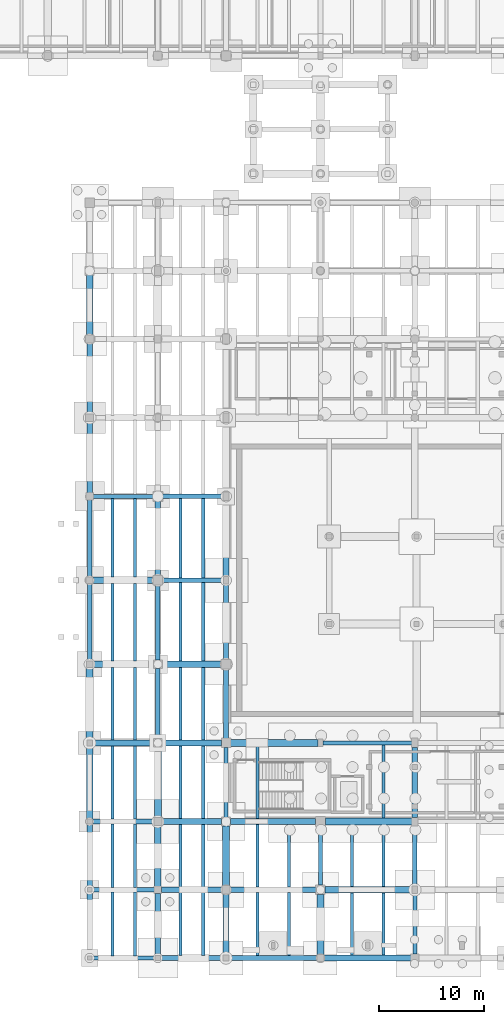
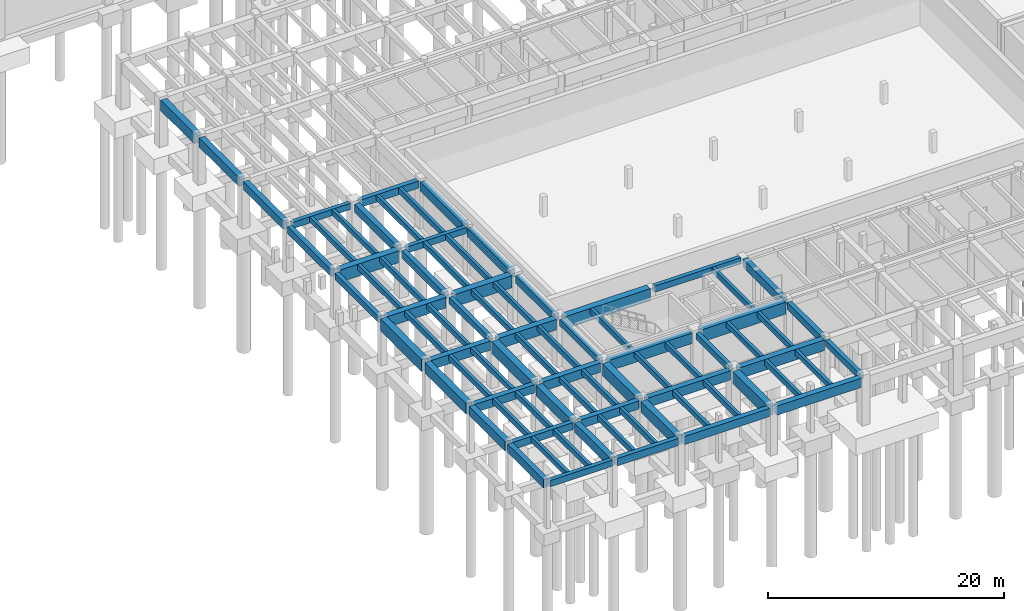
# One storey, part 20 of 36: 82 beams.
"""IFC4 building model written with IfcOpenShell, lengths in metres."""

from ifc_helpers import new_model, si_unit, direction, frame, origin, origin_2d, place, context, subcontext, project, spatial, rectangle, extrude, material, material_profile, profile_set, type_object, element, save


model = new_model("IFC4")

# Units and contexts
model_context = context("Model", 3, precision=1e-05, world=origin(), true_north=direction((0.0, 1.0)))
body_context = subcontext(model_context, "Body", "Model", "MODEL_VIEW")
ifc_project = project(units=[si_unit("LENGTHUNIT", "METRE"), si_unit("AREAUNIT", "SQUARE_METRE"), si_unit("VOLUMEUNIT", "CUBIC_METRE"), si_unit("PLANEANGLEUNIT", "RADIAN"), si_unit("MASSUNIT", "GRAM", prefix="KILO"), si_unit("THERMODYNAMICTEMPERATUREUNIT", "KELVIN"), si_unit("POWERUNIT", "WATT")], contexts=[model_context])

# Site, building, storey
site_placement = place(None, origin())
site = spatial("IfcSite", under=ifc_project, at=site_placement, CompositionType="ELEMENT")
building_placement = place(site_placement, origin())
building = spatial("IfcBuilding", under=site, at=building_placement, Name="Tepalcoro Natatorium and Aquatics Centre", CompositionType="ELEMENT")
storey_placement = place(building_placement, frame((0.0, 0.0, -5.199951171875)))
storey = spatial("IfcBuildingStorey", under=building, at=storey_placement, Name="B1", CompositionType="ELEMENT", Elevation=-5.199951171875)

# Beams
ifc_material = material(Name="Concrete C40/50 (fc 40 MPa)", Category="concrete")
ifc_material_profile_1 = material_profile(ifc_material, rectangle(XDim=0.39990234375, YDim=0.64990234375, at=origin_2d()), Name="RCB400x650")
ifc_profile_set_1 = profile_set([ifc_material_profile_1], Name="Concrete C40/50 (fc 40 MPa)")
beam_type_1 = type_object("IfcBeamType", Name="BM_RC_400x650", PredefinedType="BEAM", material=ifc_profile_set_1)
beam_1_placement = place(storey_placement, frame((40.18505859375, 0.0, 4.579833984375), z_axis=(1.0, 0.0, 0.0), x_axis=(0.0, 1.0, 0.0)))
element("IfcBeam", 1, at=beam_1_placement, inside=storey, type_object=beam_type_1, Name="V1 B1 Grid Girder X", PredefinedType="BEAM", context=body_context, shape_type="SweptSolid", body=[
    extrude(rectangle(XDim=0.39990234375, YDim=0.64990234375, at=origin_2d()), origin(), (0.0, 0.0, 1.0), 6.079833984375),
])
beam_2_placement = place(storey_placement, frame((62.235107421875, 20.5, 4.56005859375), z_axis=(1.0, 0.0, 0.0), x_axis=(0.0, 1.0, 0.0)))
element("IfcBeam", 2, at=beam_2_placement, inside=storey, type_object=beam_type_1, Name="V1 B1 Grid Girder X", PredefinedType="BEAM", context=body_context, shape_type="SweptSolid", body=[
    extrude(rectangle(XDim=0.39990234375, YDim=0.64990234375, at=origin_2d()), origin(), (0.0, 0.0, 1.0), 8.47998046875),
])
beam_3_placement = place(storey_placement, frame((46.93505859375, 36.0, 4.579833984375), z_axis=(1.0, 0.0, 0.0), x_axis=(0.0, 1.0, 0.0)))
element("IfcBeam", 3, at=beam_3_placement, inside=storey, type_object=beam_type_1, Name="V1 B1 Grid Girder X", PredefinedType="BEAM", context=body_context, shape_type="SweptSolid", body=[
    extrude(rectangle(XDim=0.39990234375, YDim=0.64990234375, at=origin_2d()), origin(), (0.0, 0.0, 1.0), 5.829833984375),
])
beam_4_placement = place(storey_placement, frame((40.3349609375, 44.0, 4.579833984375), z_axis=(1.0, 0.0, 0.0), x_axis=(0.0, 1.0, 0.0)))
element("IfcBeam", 4, at=beam_4_placement, inside=storey, type_object=beam_type_1, Name="V1 B1 Grid Girder X", PredefinedType="BEAM", context=body_context, shape_type="SweptSolid", body=[
    extrude(rectangle(XDim=0.39990234375, YDim=0.64990234375, at=origin_2d()), origin(), (0.0, 0.0, 1.0), 5.705078125),
])
beam_5_placement = place(storey_placement, frame((40.0, 28.284912109375, 4.43994140625), z_axis=(0.0, 1.0, 0.0), x_axis=(-1.0, 0.0, 0.0)))
element("IfcBeam", 5, at=beam_5_placement, inside=storey, type_object=beam_type_1, Name="V1 B1 Grid Girder Y", PredefinedType="BEAM", context=body_context, shape_type="SweptSolid", body=[
    extrude(rectangle(XDim=0.39990234375, YDim=0.64990234375, at=origin_2d()), origin(), (0.0, 0.0, 1.0), 7.405029296875),
])
beam_6_placement = place(storey_placement, frame((46.5, 20.885009765625, 4.579833984375), z_axis=(0.0, 1.0, 0.0), x_axis=(-1.0, 0.0, 0.0)))
element("IfcBeam", 6, at=beam_6_placement, inside=storey, type_object=beam_type_1, Name="V1 B1 Grid Girder Y", PredefinedType="BEAM", context=body_context, shape_type="SweptSolid", body=[
    extrude(rectangle(XDim=0.39990234375, YDim=0.64990234375, at=origin_2d()), origin(), (0.0, 0.0, 1.0), 6.705078125),
])
beam_7_placement = place(storey_placement, frame((53.0, 13.409912109375, 4.579833984375), z_axis=(0.0, 1.0, 0.0), x_axis=(-1.0, 0.0, 0.0)))
element("IfcBeam", 7, at=beam_7_placement, inside=storey, type_object=beam_type_1, Name="V1 B1 Grid Girder Y", PredefinedType="BEAM", context=body_context, shape_type="SweptSolid", body=[
    extrude(rectangle(XDim=0.39990234375, YDim=0.64990234375, at=origin_2d()), origin(), (0.0, 0.0, 1.0), 6.655029296875),
])
beam_8_placement = place(storey_placement, frame((62.0, 6.93505859375, 4.579833984375), z_axis=(0.0, 1.0, 0.0), x_axis=(-1.0, 0.0, 0.0)))
element("IfcBeam", 8, at=beam_8_placement, inside=storey, type_object=beam_type_1, Name="V1 B1 Grid Girder Y", PredefinedType="BEAM", context=body_context, shape_type="SweptSolid", body=[
    extrude(rectangle(XDim=0.39990234375, YDim=0.64990234375, at=origin_2d()), origin(), (0.0, 0.0, 1.0), 5.60498046875),
])
beam_9_placement = place(storey_placement, frame((71.0, 0.385009765625, 4.579833984375), z_axis=(0.0, 1.0, 0.0), x_axis=(-1.0, 0.0, 0.0)))
element("IfcBeam", 9, at=beam_9_placement, inside=storey, type_object=beam_type_1, Name="V1 B1 Grid Girder Y", PredefinedType="BEAM", context=body_context, shape_type="SweptSolid", body=[
    extrude(rectangle(XDim=0.39990234375, YDim=0.64990234375, at=origin_2d()), origin(), (0.0, 0.0, 1.0), 5.780029296875),
])
ifc_material_profile_2 = material_profile(ifc_material, rectangle(XDim=0.449951171875, YDim=0.75, at=origin_2d()), Name="RCB450x750")
ifc_profile_set_2 = profile_set([ifc_material_profile_2], Name="Concrete C40/50 (fc 40 MPa)")
beam_type_2 = type_object("IfcBeamType", Name="BM_RC_450x750", PredefinedType="BEAM", material=ifc_profile_set_2)
beam_10_placement = place(storey_placement, frame((46.735107421875, 0.0, 4.530029296875), z_axis=(1.0, 0.0, 0.0), x_axis=(0.0, 1.0, 0.0)))
element("IfcBeam", 10, at=beam_10_placement, inside=storey, type_object=beam_type_2, Name="V1 B1 Grid Girder X", PredefinedType="BEAM", context=body_context, shape_type="SweptSolid", body=[
    extrude(rectangle(XDim=0.449951171875, YDim=0.75, at=origin_2d()), origin(), (0.0, 0.0, 1.0), 5.97998046875),
])
beam_11_placement = place(storey_placement, frame((40.2099609375, 6.5, 4.530029296875), z_axis=(1.0, 0.0, 0.0), x_axis=(0.0, 1.0, 0.0)))
element("IfcBeam", 11, at=beam_11_placement, inside=storey, type_object=beam_type_2, Name="V1 B1 Grid Girder X", PredefinedType="BEAM", context=body_context, shape_type="SweptSolid", body=[
    extrude(rectangle(XDim=0.449951171875, YDim=0.75, at=origin_2d()), origin(), (0.0, 0.0, 1.0), 5.955078125),
])
beam_12_placement = place(storey_placement, frame((46.9599609375, 44.0, 4.530029296875), z_axis=(1.0, 0.0, 0.0), x_axis=(0.0, 1.0, 0.0)))
element("IfcBeam", 12, at=beam_12_placement, inside=storey, type_object=beam_type_2, Name="V1 B1 Grid Girder X", PredefinedType="BEAM", context=body_context, shape_type="SweptSolid", body=[
    extrude(rectangle(XDim=0.449951171875, YDim=0.75, at=origin_2d()), origin(), (0.0, 0.0, 1.0), 5.755126953125),
])
beam_13_placement = place(storey_placement, frame((40.0, 36.31005859375, 4.389892578125), z_axis=(0.0, 1.0, 0.0), x_axis=(-1.0, 0.0, 0.0)))
element("IfcBeam", 13, at=beam_13_placement, inside=storey, type_object=beam_type_2, Name="V1 B1 Grid Girder Y", PredefinedType="BEAM", context=body_context, shape_type="SweptSolid", body=[
    extrude(rectangle(XDim=0.449951171875, YDim=0.75, at=origin_2d()), origin(), (0.0, 0.0, 1.0), 7.35498046875),
])
beam_14_placement = place(storey_placement, frame((46.5, 28.409912109375, 4.530029296875), z_axis=(0.0, 1.0, 0.0), x_axis=(-1.0, 0.0, 0.0)))
element("IfcBeam", 14, at=beam_14_placement, inside=storey, type_object=beam_type_2, Name="V1 B1 Grid Girder Y", PredefinedType="BEAM", context=body_context, shape_type="SweptSolid", body=[
    extrude(rectangle(XDim=0.449951171875, YDim=0.75, at=origin_2d()), origin(), (0.0, 0.0, 1.0), 7.155029296875),
])
beam_15_placement = place(storey_placement, frame((53.0, 20.93505859375, 4.530029296875), z_axis=(0.0, 1.0, 0.0), x_axis=(-1.0, 0.0, 0.0)))
element("IfcBeam", 15, at=beam_15_placement, inside=storey, type_object=beam_type_2, Name="V1 B1 Grid Girder Y", PredefinedType="BEAM", context=body_context, shape_type="SweptSolid", body=[
    extrude(rectangle(XDim=0.449951171875, YDim=0.75, at=origin_2d()), origin(), (0.0, 0.0, 1.0), 6.60498046875),
])
beam_16_placement = place(storey_placement, frame((71.0, 6.8349609375, 4.530029296875), z_axis=(0.0, 1.0, 0.0), x_axis=(-1.0, 0.0, 0.0)))
element("IfcBeam", 16, at=beam_16_placement, inside=storey, type_object=beam_type_2, Name="V1 B1 Grid Girder Y", PredefinedType="BEAM", context=body_context, shape_type="SweptSolid", body=[
    extrude(rectangle(XDim=0.449951171875, YDim=0.75, at=origin_2d()), origin(), (0.0, 0.0, 1.0), 5.780029296875),
])
ifc_material_profile_3 = material_profile(ifc_material, rectangle(XDim=0.5, YDim=0.85009765625, at=origin_2d()), Name="RCB500x850")
ifc_profile_set_3 = profile_set([ifc_material_profile_3], Name="Concrete C40/50 (fc 40 MPa)")
beam_type_3 = type_object("IfcBeamType", Name="BM_RC_500x850", PredefinedType="BEAM", material=ifc_profile_set_3)
beam_17_placement = place(storey_placement, frame((53.284912109375, 0.0, 4.47998046875), z_axis=(1.0, 0.0, 0.0), x_axis=(0.0, 1.0, 0.0)))
element("IfcBeam", 17, at=beam_17_placement, inside=storey, type_object=beam_type_3, Name="V1 B1 Grid Girder X", PredefinedType="BEAM", context=body_context, shape_type="SweptSolid", body=[
    extrude(rectangle(XDim=0.5, YDim=0.85009765625, at=origin_2d()), origin(), (0.0, 0.0, 1.0), 8.380126953125),
])
beam_18_placement = place(storey_placement, frame((46.8349609375, 6.5, 4.47998046875), z_axis=(1.0, 0.0, 0.0), x_axis=(0.0, 1.0, 0.0)))
element("IfcBeam", 18, at=beam_18_placement, inside=storey, type_object=beam_type_3, Name="V1 B1 Grid Girder X", PredefinedType="BEAM", context=body_context, shape_type="SweptSolid", body=[
    extrude(rectangle(XDim=0.5, YDim=0.85009765625, at=origin_2d()), origin(), (0.0, 0.0, 1.0), 5.780029296875),
])
beam_19_placement = place(storey_placement, frame((40.235107421875, 13.0, 4.47998046875), z_axis=(1.0, 0.0, 0.0), x_axis=(0.0, 1.0, 0.0)))
element("IfcBeam", 19, at=beam_19_placement, inside=storey, type_object=beam_type_3, Name="V1 B1 Grid Girder X", PredefinedType="BEAM", context=body_context, shape_type="SweptSolid", body=[
    extrude(rectangle(XDim=0.5, YDim=0.85009765625, at=origin_2d()), origin(), (0.0, 0.0, 1.0), 5.90478515625),
])
beam_20_placement = place(storey_placement, frame((40.0, 0.18505859375, 4.47998046875), z_axis=(0.0, 1.0, 0.0), x_axis=(-1.0, 0.0, 0.0)))
element("IfcBeam", 20, at=beam_20_placement, inside=storey, type_object=beam_type_3, Name="V1 B1 Grid Girder Y", PredefinedType="BEAM", context=body_context, shape_type="SweptSolid", body=[
    extrude(rectangle(XDim=0.5, YDim=0.85009765625, at=origin_2d()), origin(), (0.0, 0.0, 1.0), 6.10498046875),
])
beam_21_placement = place(storey_placement, frame((40.0, 44.3349609375, 4.47998046875), z_axis=(0.0, 1.0, 0.0), x_axis=(-1.0, 0.0, 0.0)))
element("IfcBeam", 21, at=beam_21_placement, inside=storey, type_object=beam_type_3, Name="V1 B1 Grid Girder Y", PredefinedType="BEAM", context=body_context, shape_type="SweptSolid", body=[
    extrude(rectangle(XDim=0.5, YDim=0.85009765625, at=origin_2d()), origin(), (0.0, 0.0, 1.0), 6.804931640625),
])
beam_22_placement = place(storey_placement, frame((46.5, 36.43505859375, 4.47998046875), z_axis=(0.0, 1.0, 0.0), x_axis=(-1.0, 0.0, 0.0)))
element("IfcBeam", 22, at=beam_22_placement, inside=storey, type_object=beam_type_3, Name="V1 B1 Grid Girder Y", PredefinedType="BEAM", context=body_context, shape_type="SweptSolid", body=[
    extrude(rectangle(XDim=0.5, YDim=0.85009765625, at=origin_2d()), origin(), (0.0, 0.0, 1.0), 7.10498046875),
])
beam_23_placement = place(storey_placement, frame((53.0, 28.4599609375, 4.47998046875), z_axis=(0.0, 1.0, 0.0), x_axis=(-1.0, 0.0, 0.0)))
element("IfcBeam", 23, at=beam_23_placement, inside=storey, type_object=beam_type_3, Name="V1 B1 Grid Girder Y", PredefinedType="BEAM", context=body_context, shape_type="SweptSolid", body=[
    extrude(rectangle(XDim=0.5, YDim=0.85009765625, at=origin_2d()), origin(), (0.0, 0.0, 1.0), 7.205078125),
])
beam_24_placement = place(storey_placement, frame((71.0, 13.385009765625, 4.4599609375), z_axis=(0.0, 1.0, 0.0), x_axis=(-1.0, 0.0, 0.0)))
element("IfcBeam", 24, at=beam_24_placement, inside=storey, type_object=beam_type_3, Name="V1 B1 Grid Girder Y", PredefinedType="BEAM", context=body_context, shape_type="SweptSolid", body=[
    extrude(rectangle(XDim=0.5, YDim=0.85009765625, at=origin_2d()), origin(), (0.0, 0.0, 1.0), 6.679931640625),
])
ifc_material_profile_4 = material_profile(ifc_material, rectangle(XDim=0.550048828125, YDim=0.949951171875, at=origin_2d()), Name="RCB550x950")
ifc_profile_set_4 = profile_set([ifc_material_profile_4], Name="Concrete C40/50 (fc 40 MPa)")
beam_type_4 = type_object("IfcBeamType", Name="BM_RC_550x950", PredefinedType="BEAM", material=ifc_profile_set_4)
beam_25_placement = place(storey_placement, frame((62.3349609375, 0.0, 4.429931640625), z_axis=(1.0, 0.0, 0.0), x_axis=(0.0, 1.0, 0.0)))
element("IfcBeam", 25, at=beam_25_placement, inside=storey, type_object=beam_type_4, Name="V1 B1 Grid Girder X", PredefinedType="BEAM", context=body_context, shape_type="SweptSolid", body=[
    extrude(rectangle(XDim=0.550048828125, YDim=0.949951171875, at=origin_2d()), origin(), (0.0, 0.0, 1.0), 8.280029296875),
])
beam_26_placement = place(storey_placement, frame((53.385009765625, 6.5, 4.429931640625), z_axis=(1.0, 0.0, 0.0), x_axis=(0.0, 1.0, 0.0)))
element("IfcBeam", 26, at=beam_26_placement, inside=storey, type_object=beam_type_4, Name="V1 B1 Grid Girder X", PredefinedType="BEAM", context=body_context, shape_type="SweptSolid", body=[
    extrude(rectangle(XDim=0.550048828125, YDim=0.949951171875, at=origin_2d()), origin(), (0.0, 0.0, 1.0), 8.179931640625),
])
beam_27_placement = place(storey_placement, frame((46.860107421875, 13.0, 4.429931640625), z_axis=(1.0, 0.0, 0.0), x_axis=(0.0, 1.0, 0.0)))
element("IfcBeam", 27, at=beam_27_placement, inside=storey, type_object=beam_type_4, Name="V1 B1 Grid Girder X", PredefinedType="BEAM", context=body_context, shape_type="SweptSolid", body=[
    extrude(rectangle(XDim=0.550048828125, YDim=0.949951171875, at=origin_2d()), origin(), (0.0, 0.0, 1.0), 5.72998046875),
])
beam_28_placement = place(storey_placement, frame((40.260009765625, 20.5, 4.429931640625), z_axis=(1.0, 0.0, 0.0), x_axis=(0.0, 1.0, 0.0)))
element("IfcBeam", 28, at=beam_28_placement, inside=storey, type_object=beam_type_4, Name="V1 B1 Grid Girder X", PredefinedType="BEAM", context=body_context, shape_type="SweptSolid", body=[
    extrude(rectangle(XDim=0.550048828125, YDim=0.949951171875, at=origin_2d()), origin(), (0.0, 0.0, 1.0), 5.85498046875),
])
beam_29_placement = place(storey_placement, frame((40.0, 6.7099609375, 4.429931640625), z_axis=(0.0, 1.0, 0.0), x_axis=(-1.0, 0.0, 0.0)))
element("IfcBeam", 29, at=beam_29_placement, inside=storey, type_object=beam_type_4, Name="V1 B1 Grid Girder Y", PredefinedType="BEAM", context=body_context, shape_type="SweptSolid", body=[
    extrude(rectangle(XDim=0.550048828125, YDim=0.949951171875, at=origin_2d()), origin(), (0.0, 0.0, 1.0), 6.054931640625),
])
beam_30_placement = place(storey_placement, frame((40.0, 51.860107421875, 4.429931640625), z_axis=(0.0, 1.0, 0.0), x_axis=(-1.0, 0.0, 0.0)))
element("IfcBeam", 30, at=beam_30_placement, inside=storey, type_object=beam_type_4, Name="V1 B1 Grid Girder Y", PredefinedType="BEAM", context=body_context, shape_type="SweptSolid", body=[
    extrude(rectangle(XDim=0.550048828125, YDim=0.949951171875, at=origin_2d()), origin(), (0.0, 0.0, 1.0), 6.7548828125),
])
beam_31_placement = place(storey_placement, frame((46.5, 0.235107421875, 4.429931640625), z_axis=(0.0, 1.0, 0.0), x_axis=(-1.0, 0.0, 0.0)))
element("IfcBeam", 31, at=beam_31_placement, inside=storey, type_object=beam_type_4, Name="V1 B1 Grid Girder Y", PredefinedType="BEAM", context=body_context, shape_type="SweptSolid", body=[
    extrude(rectangle(XDim=0.550048828125, YDim=0.949951171875, at=origin_2d()), origin(), (0.0, 0.0, 1.0), 5.929931640625),
])
beam_32_placement = place(storey_placement, frame((53.0, 36.3349609375, 4.429931640625), z_axis=(0.0, 1.0, 0.0), x_axis=(-1.0, 0.0, 0.0)))
element("IfcBeam", 32, at=beam_32_placement, inside=storey, type_object=beam_type_4, Name="V1 B1 Grid Girder Y", PredefinedType="BEAM", context=body_context, shape_type="SweptSolid", body=[
    extrude(rectangle(XDim=0.550048828125, YDim=0.949951171875, at=origin_2d()), origin(), (0.0, 0.0, 1.0), 7.280029296875),
])
ifc_material_profile_5 = material_profile(ifc_material, rectangle(XDim=0.60009765625, YDim=1.10009765625, at=origin_2d()), Name="RCB600x1100")
ifc_profile_set_5 = profile_set([ifc_material_profile_5], Name="Concrete C40/50 (fc 40 MPa)")
beam_type_5 = type_object("IfcBeamType", Name="BM_RC_600x1100", PredefinedType="BEAM", material=ifc_profile_set_5)
beam_33_placement = place(storey_placement, frame((62.43505859375, 6.5, 4.35498046875), z_axis=(1.0, 0.0, 0.0), x_axis=(0.0, 1.0, 0.0)))
element("IfcBeam", 33, at=beam_33_placement, inside=storey, type_object=beam_type_5, Name="V1 B1 Grid Girder X", PredefinedType="BEAM", context=body_context, shape_type="SweptSolid", body=[
    extrude(rectangle(XDim=0.60009765625, YDim=1.10009765625, at=origin_2d()), origin(), (0.0, 0.0, 1.0), 8.329833984375),
])
beam_34_placement = place(storey_placement, frame((53.409912109375, 13.0, 4.35498046875), z_axis=(1.0, 0.0, 0.0), x_axis=(0.0, 1.0, 0.0)))
element("IfcBeam", 34, at=beam_34_placement, inside=storey, type_object=beam_type_5, Name="V1 B1 Grid Girder X", PredefinedType="BEAM", context=body_context, shape_type="SweptSolid", body=[
    extrude(rectangle(XDim=0.60009765625, YDim=1.10009765625, at=origin_2d()), origin(), (0.0, 0.0, 1.0), 8.130126953125),
])
beam_35_placement = place(storey_placement, frame((46.885009765625, 20.5, 4.35498046875), z_axis=(1.0, 0.0, 0.0), x_axis=(0.0, 1.0, 0.0)))
element("IfcBeam", 35, at=beam_35_placement, inside=storey, type_object=beam_type_5, Name="V1 B1 Grid Girder X", PredefinedType="BEAM", context=body_context, shape_type="SweptSolid", body=[
    extrude(rectangle(XDim=0.60009765625, YDim=1.10009765625, at=origin_2d()), origin(), (0.0, 0.0, 1.0), 5.679931640625),
])
beam_36_placement = place(storey_placement, frame((40.284912109375, 28.0, 4.35498046875), z_axis=(1.0, 0.0, 0.0), x_axis=(0.0, 1.0, 0.0)))
element("IfcBeam", 36, at=beam_36_placement, inside=storey, type_object=beam_type_5, Name="V1 B1 Grid Girder X", PredefinedType="BEAM", context=body_context, shape_type="SweptSolid", body=[
    extrude(rectangle(XDim=0.60009765625, YDim=1.10009765625, at=origin_2d()), origin(), (0.0, 0.0, 1.0), 5.80517578125),
])
beam_37_placement = place(storey_placement, frame((40.0, 13.235107421875, 4.35498046875), z_axis=(0.0, 1.0, 0.0), x_axis=(-1.0, 0.0, 0.0)))
element("IfcBeam", 37, at=beam_37_placement, inside=storey, type_object=beam_type_5, Name="V1 B1 Grid Girder Y", PredefinedType="BEAM", context=body_context, shape_type="SweptSolid", body=[
    extrude(rectangle(XDim=0.60009765625, YDim=1.10009765625, at=origin_2d()), origin(), (0.0, 0.0, 1.0), 7.0048828125),
])
beam_38_placement = place(storey_placement, frame((40.0, 59.385009765625, 4.35498046875), z_axis=(0.0, 1.0, 0.0), x_axis=(-1.0, 0.0, 0.0)))
element("IfcBeam", 38, at=beam_38_placement, inside=storey, type_object=beam_type_5, Name="V1 B1 Grid Girder Y", PredefinedType="BEAM", context=body_context, shape_type="SweptSolid", body=[
    extrude(rectangle(XDim=0.60009765625, YDim=1.10009765625, at=origin_2d()), origin(), (0.0, 0.0, 1.0), 5.705078125),
])
beam_39_placement = place(storey_placement, frame((46.5, 6.8349609375, 4.35498046875), z_axis=(0.0, 1.0, 0.0), x_axis=(-1.0, 0.0, 0.0)))
element("IfcBeam", 39, at=beam_39_placement, inside=storey, type_object=beam_type_5, Name="V1 B1 Grid Girder Y", PredefinedType="BEAM", context=body_context, shape_type="SweptSolid", body=[
    extrude(rectangle(XDim=0.60009765625, YDim=1.10009765625, at=origin_2d()), origin(), (0.0, 0.0, 1.0), 5.804931640625),
])
beam_40_placement = place(storey_placement, frame((53.0, 0.284912109375, 4.35498046875), z_axis=(0.0, 1.0, 0.0), x_axis=(-1.0, 0.0, 0.0)))
element("IfcBeam", 40, at=beam_40_placement, inside=storey, type_object=beam_type_5, Name="V1 B1 Grid Girder Y", PredefinedType="BEAM", context=body_context, shape_type="SweptSolid", body=[
    extrude(rectangle(XDim=0.60009765625, YDim=1.10009765625, at=origin_2d()), origin(), (0.0, 0.0, 1.0), 5.830078125),
])
ifc_material_profile_6 = material_profile(ifc_material, rectangle(XDim=0.64990234375, YDim=1.25, at=origin_2d()), Name="RCB650x1250")
ifc_profile_set_6 = profile_set([ifc_material_profile_6], Name="Concrete C40/50 (fc 40 MPa)")
beam_type_6 = type_object("IfcBeamType", Name="BM_RC_650x1250", PredefinedType="BEAM", material=ifc_profile_set_6)
beam_41_placement = place(storey_placement, frame((62.4599609375, 13.0, 4.280029296875), z_axis=(1.0, 0.0, 0.0), x_axis=(0.0, 1.0, 0.0)))
element("IfcBeam", 41, at=beam_41_placement, inside=storey, type_object=beam_type_6, Name="V1 B1 Grid Girder X", PredefinedType="BEAM", context=body_context, shape_type="SweptSolid", body=[
    extrude(rectangle(XDim=0.64990234375, YDim=1.25, at=origin_2d()), origin(), (0.0, 0.0, 1.0), 8.255126953125),
])
beam_42_placement = place(storey_placement, frame((53.43505859375, 20.5, 4.260009765625), z_axis=(1.0, 0.0, 0.0), x_axis=(0.0, 1.0, 0.0)))
element("IfcBeam", 42, at=beam_42_placement, inside=storey, type_object=beam_type_6, Name="V1 B1 Grid Girder X", PredefinedType="BEAM", context=body_context, shape_type="SweptSolid", body=[
    extrude(rectangle(XDim=0.64990234375, YDim=1.25, at=origin_2d()), origin(), (0.0, 0.0, 1.0), 8.329833984375),
])
beam_43_placement = place(storey_placement, frame((46.909912109375, 28.0, 4.280029296875), z_axis=(1.0, 0.0, 0.0), x_axis=(0.0, 1.0, 0.0)))
element("IfcBeam", 43, at=beam_43_placement, inside=storey, type_object=beam_type_6, Name="V1 B1 Grid Girder X", PredefinedType="BEAM", context=body_context, shape_type="SweptSolid", body=[
    extrude(rectangle(XDim=0.64990234375, YDim=1.25, at=origin_2d()), origin(), (0.0, 0.0, 1.0), 5.630126953125),
])
beam_44_placement = place(storey_placement, frame((40.31005859375, 36.0, 4.280029296875), z_axis=(1.0, 0.0, 0.0), x_axis=(0.0, 1.0, 0.0)))
element("IfcBeam", 44, at=beam_44_placement, inside=storey, type_object=beam_type_6, Name="V1 B1 Grid Girder X", PredefinedType="BEAM", context=body_context, shape_type="SweptSolid", body=[
    extrude(rectangle(XDim=0.64990234375, YDim=1.25, at=origin_2d()), origin(), (0.0, 0.0, 1.0), 5.7548828125),
])
beam_45_placement = place(storey_placement, frame((40.0, 20.760009765625, 4.280029296875), z_axis=(0.0, 1.0, 0.0), x_axis=(-1.0, 0.0, 0.0)))
element("IfcBeam", 45, at=beam_45_placement, inside=storey, type_object=beam_type_6, Name="V1 B1 Grid Girder Y", PredefinedType="BEAM", context=body_context, shape_type="SweptSolid", body=[
    extrude(rectangle(XDim=0.64990234375, YDim=1.25, at=origin_2d()), origin(), (0.0, 0.0, 1.0), 6.955078125),
])
beam_46_placement = place(storey_placement, frame((46.5, 13.360107421875, 4.280029296875), z_axis=(0.0, 1.0, 0.0), x_axis=(-1.0, 0.0, 0.0)))
element("IfcBeam", 46, at=beam_46_placement, inside=storey, type_object=beam_type_6, Name="V1 B1 Grid Girder Y", PredefinedType="BEAM", context=body_context, shape_type="SweptSolid", body=[
    extrude(rectangle(XDim=0.64990234375, YDim=1.25, at=origin_2d()), origin(), (0.0, 0.0, 1.0), 6.7548828125),
])
beam_47_placement = place(storey_placement, frame((53.0, 6.885009765625, 4.280029296875), z_axis=(0.0, 1.0, 0.0), x_axis=(-1.0, 0.0, 0.0)))
element("IfcBeam", 47, at=beam_47_placement, inside=storey, type_object=beam_type_6, Name="V1 B1 Grid Girder Y", PredefinedType="BEAM", context=body_context, shape_type="SweptSolid", body=[
    extrude(rectangle(XDim=0.64990234375, YDim=1.25, at=origin_2d()), origin(), (0.0, 0.0, 1.0), 5.705078125),
])
beam_48_placement = place(storey_placement, frame((62.0, 0.3349609375, 4.280029296875), z_axis=(0.0, 1.0, 0.0), x_axis=(-1.0, 0.0, 0.0)))
element("IfcBeam", 48, at=beam_48_placement, inside=storey, type_object=beam_type_6, Name="V1 B1 Grid Girder Y", PredefinedType="BEAM", context=body_context, shape_type="SweptSolid", body=[
    extrude(rectangle(XDim=0.64990234375, YDim=1.25, at=origin_2d()), origin(), (0.0, 0.0, 1.0), 5.72998046875),
])
ifc_material_profile_7 = material_profile(ifc_material, rectangle(XDim=0.300048828125, YDim=0.550048828125, at=origin_2d()), Name="RCJ300x550")
ifc_profile_set_7 = profile_set([ifc_material_profile_7], Name="Concrete C40/50 (fc 40 MPa)")
beam_type_7 = type_object("IfcBeamType", Name="JS_RC_300x550", PredefinedType="JOIST", material=ifc_profile_set_7)
for number, where, z_axis, x_axis, name in (
    (49, (42.166748046875, 0.199951171875, 4.6298828125), (0.0, 1.0, 0.0), (-1.0, 0.0, 0.0), "V1 B1 Floor Joist"),
    (50, (44.333251953125, 0.199951171875, 4.6298828125), (0.0, 1.0, 0.0), (-1.0, 0.0, 0.0), "V1 B1 Floor Joist"),
):
    element("IfcBeam", number, at=place(storey_placement, frame(where, z_axis=z_axis, x_axis=x_axis)), inside=storey, type_object=beam_type_7, Name=name, PredefinedType="JOIST", context=body_context, shape_type="SweptSolid", body=[
        extrude(rectangle(XDim=0.300048828125, YDim=0.550048828125, at=origin_2d()), origin(), (0.0, 0.0, 1.0), 6.074951171875),
    ])
for number, where, z_axis, x_axis, name in (
    (51, (42.166748046875, 6.72509765625, 4.6298828125), (0.0, 1.0, 0.0), (-1.0, 0.0, 0.0), "V1 B1 Floor Joist"),
    (52, (44.333251953125, 6.72509765625, 4.6298828125), (0.0, 1.0, 0.0), (-1.0, 0.0, 0.0), "V1 B1 Floor Joist"),
):
    element("IfcBeam", number, at=place(storey_placement, frame(where, z_axis=z_axis, x_axis=x_axis)), inside=storey, type_object=beam_type_7, Name=name, PredefinedType="JOIST", context=body_context, shape_type="SweptSolid", body=[
        extrude(rectangle(XDim=0.300048828125, YDim=0.550048828125, at=origin_2d()), origin(), (0.0, 0.0, 1.0), 6.02490234375),
    ])
for number, where, z_axis, x_axis, name in (
    (53, (42.166748046875, 13.25, 4.6298828125), (0.0, 1.0, 0.0), (-1.0, 0.0, 0.0), "V1 B1 Floor Joist"),
    (54, (44.333251953125, 13.25, 4.6298828125), (0.0, 1.0, 0.0), (-1.0, 0.0, 0.0), "V1 B1 Floor Joist"),
):
    element("IfcBeam", number, at=place(storey_placement, frame(where, z_axis=z_axis, x_axis=x_axis)), inside=storey, type_object=beam_type_7, Name=name, PredefinedType="JOIST", context=body_context, shape_type="SweptSolid", body=[
        extrude(rectangle(XDim=0.300048828125, YDim=0.550048828125, at=origin_2d()), origin(), (0.0, 0.0, 1.0), 6.97509765625),
    ])
for number, where, z_axis, x_axis, name in (
    (55, (42.166748046875, 20.77490234375, 4.6298828125), (0.0, 1.0, 0.0), (-1.0, 0.0, 0.0), "V1 B1 Floor Joist"),
    (56, (44.333251953125, 20.77490234375, 4.6298828125), (0.0, 1.0, 0.0), (-1.0, 0.0, 0.0), "V1 B1 Floor Joist"),
):
    element("IfcBeam", number, at=place(storey_placement, frame(where, z_axis=z_axis, x_axis=x_axis)), inside=storey, type_object=beam_type_7, Name=name, PredefinedType="JOIST", context=body_context, shape_type="SweptSolid", body=[
        extrude(rectangle(XDim=0.300048828125, YDim=0.550048828125, at=origin_2d()), origin(), (0.0, 0.0, 1.0), 6.925048828125),
    ])
for number, where, z_axis, x_axis, name in (
    (57, (42.166748046875, 28.300048828125, 4.6298828125), (0.0, 1.0, 0.0), (-1.0, 0.0, 0.0), "V1 B1 Floor Joist"),
    (58, (44.333251953125, 28.300048828125, 4.6298828125), (0.0, 1.0, 0.0), (-1.0, 0.0, 0.0), "V1 B1 Floor Joist"),
):
    element("IfcBeam", number, at=place(storey_placement, frame(where, z_axis=z_axis, x_axis=x_axis)), inside=storey, type_object=beam_type_7, Name=name, PredefinedType="JOIST", context=body_context, shape_type="SweptSolid", body=[
        extrude(rectangle(XDim=0.300048828125, YDim=0.550048828125, at=origin_2d()), origin(), (0.0, 0.0, 1.0), 7.375),
    ])
for number, where, z_axis, x_axis, name in (
    (59, (42.166748046875, 36.324951171875, 4.6298828125), (0.0, 1.0, 0.0), (-1.0, 0.0, 0.0), "V1 B1 Floor Joist"),
    (60, (44.333251953125, 36.324951171875, 4.6298828125), (0.0, 1.0, 0.0), (-1.0, 0.0, 0.0), "V1 B1 Floor Joist"),
):
    element("IfcBeam", number, at=place(storey_placement, frame(where, z_axis=z_axis, x_axis=x_axis)), inside=storey, type_object=beam_type_7, Name=name, PredefinedType="JOIST", context=body_context, shape_type="SweptSolid", body=[
        extrude(rectangle(XDim=0.300048828125, YDim=0.550048828125, at=origin_2d()), origin(), (0.0, 0.0, 1.0), 7.47509765625),
    ])
for number, where, z_axis, x_axis, name in (
    (61, (48.666748046875, 0.22509765625, 4.6298828125), (0.0, 1.0, 0.0), (-1.0, 0.0, 0.0), "V1 B1 Floor Joist"),
    (62, (50.833251953125, 0.22509765625, 4.6298828125), (0.0, 1.0, 0.0), (-1.0, 0.0, 0.0), "V1 B1 Floor Joist"),
):
    element("IfcBeam", number, at=place(storey_placement, frame(where, z_axis=z_axis, x_axis=x_axis)), inside=storey, type_object=beam_type_7, Name=name, PredefinedType="JOIST", context=body_context, shape_type="SweptSolid", body=[
        extrude(rectangle(XDim=0.300048828125, YDim=0.550048828125, at=origin_2d()), origin(), (0.0, 0.0, 1.0), 6.02490234375),
    ])
for number, where, z_axis, x_axis, name in (
    (63, (48.666748046875, 6.75, 4.6298828125), (0.0, 1.0, 0.0), (-1.0, 0.0, 0.0), "V1 B1 Floor Joist"),
    (64, (50.833251953125, 6.75, 4.6298828125), (0.0, 1.0, 0.0), (-1.0, 0.0, 0.0), "V1 B1 Floor Joist"),
):
    element("IfcBeam", number, at=place(storey_placement, frame(where, z_axis=z_axis, x_axis=x_axis)), inside=storey, type_object=beam_type_7, Name=name, PredefinedType="JOIST", context=body_context, shape_type="SweptSolid", body=[
        extrude(rectangle(XDim=0.300048828125, YDim=0.550048828125, at=origin_2d()), origin(), (0.0, 0.0, 1.0), 5.97509765625),
    ])
for number, where, z_axis, x_axis, name in (
    (65, (48.666748046875, 13.27490234375, 4.6298828125), (0.0, 1.0, 0.0), (-1.0, 0.0, 0.0), "V1 B1 Floor Joist"),
    (66, (50.833251953125, 13.27490234375, 4.6298828125), (0.0, 1.0, 0.0), (-1.0, 0.0, 0.0), "V1 B1 Floor Joist"),
):
    element("IfcBeam", number, at=place(storey_placement, frame(where, z_axis=z_axis, x_axis=x_axis)), inside=storey, type_object=beam_type_7, Name=name, PredefinedType="JOIST", context=body_context, shape_type="SweptSolid", body=[
        extrude(rectangle(XDim=0.300048828125, YDim=0.550048828125, at=origin_2d()), origin(), (0.0, 0.0, 1.0), 6.925048828125),
    ])
for number, where, z_axis, x_axis, name in (
    (67, (48.666748046875, 20.800048828125, 4.6298828125), (0.0, 1.0, 0.0), (-1.0, 0.0, 0.0), "V1 B1 Floor Joist"),
    (68, (50.833251953125, 20.800048828125, 4.6298828125), (0.0, 1.0, 0.0), (-1.0, 0.0, 0.0), "V1 B1 Floor Joist"),
):
    element("IfcBeam", number, at=place(storey_placement, frame(where, z_axis=z_axis, x_axis=x_axis)), inside=storey, type_object=beam_type_7, Name=name, PredefinedType="JOIST", context=body_context, shape_type="SweptSolid", body=[
        extrude(rectangle(XDim=0.300048828125, YDim=0.550048828125, at=origin_2d()), origin(), (0.0, 0.0, 1.0), 6.875),
    ])
for number, where, z_axis, x_axis, name in (
    (69, (48.666748046875, 28.324951171875, 4.6298828125), (0.0, 1.0, 0.0), (-1.0, 0.0, 0.0), "V1 B1 Floor Joist"),
    (70, (50.833251953125, 28.324951171875, 4.6298828125), (0.0, 1.0, 0.0), (-1.0, 0.0, 0.0), "V1 B1 Floor Joist"),
):
    element("IfcBeam", number, at=place(storey_placement, frame(where, z_axis=z_axis, x_axis=x_axis)), inside=storey, type_object=beam_type_7, Name=name, PredefinedType="JOIST", context=body_context, shape_type="SweptSolid", body=[
        extrude(rectangle(XDim=0.300048828125, YDim=0.550048828125, at=origin_2d()), origin(), (0.0, 0.0, 1.0), 7.47509765625),
    ])
for number, where, z_axis, x_axis, name in (
    (71, (48.666748046875, 36.199951171875, 4.6298828125), (0.0, 1.0, 0.0), (-1.0, 0.0, 0.0), "V1 B1 Floor Joist"),
    (72, (50.833251953125, 36.199951171875, 4.6298828125), (0.0, 1.0, 0.0), (-1.0, 0.0, 0.0), "V1 B1 Floor Joist"),
):
    element("IfcBeam", number, at=place(storey_placement, frame(where, z_axis=z_axis, x_axis=x_axis)), inside=storey, type_object=beam_type_7, Name=name, PredefinedType="JOIST", context=body_context, shape_type="SweptSolid", body=[
        extrude(rectangle(XDim=0.300048828125, YDim=0.550048828125, at=origin_2d()), origin(), (0.0, 0.0, 1.0), 7.574951171875),
    ])
for number, where, z_axis, x_axis, name in (
    (73, (56.0, 0.25, 4.6298828125), (0.0, 1.0, 0.0), (-1.0, 0.0, 0.0), "V1 B1 Floor Joist"),
    (74, (59.0, 0.25, 4.6298828125), (0.0, 1.0, 0.0), (-1.0, 0.0, 0.0), "V1 B1 Floor Joist"),
):
    element("IfcBeam", number, at=place(storey_placement, frame(where, z_axis=z_axis, x_axis=x_axis)), inside=storey, type_object=beam_type_7, Name=name, PredefinedType="JOIST", context=body_context, shape_type="SweptSolid", body=[
        extrude(rectangle(XDim=0.300048828125, YDim=0.550048828125, at=origin_2d()), origin(), (0.0, 0.0, 1.0), 5.97509765625),
    ])
for number, where, z_axis, x_axis, name in (
    (75, (56.0, 6.77490234375, 4.6298828125), (0.0, 1.0, 0.0), (-1.0, 0.0, 0.0), "V1 B1 Floor Joist"),
    (76, (59.0, 6.77490234375, 4.6298828125), (0.0, 1.0, 0.0), (-1.0, 0.0, 0.0), "V1 B1 Floor Joist"),
):
    element("IfcBeam", number, at=place(storey_placement, frame(where, z_axis=z_axis, x_axis=x_axis)), inside=storey, type_object=beam_type_7, Name=name, PredefinedType="JOIST", context=body_context, shape_type="SweptSolid", body=[
        extrude(rectangle(XDim=0.300048828125, YDim=0.550048828125, at=origin_2d()), origin(), (0.0, 0.0, 1.0), 5.925048828125),
    ])
beam_49_placement = place(storey_placement, frame((56.0, 13.300048828125, 4.60986328125), z_axis=(0.0, 1.0, 0.0), x_axis=(-1.0, 0.0, 0.0)))
element("IfcBeam", 77, at=beam_49_placement, inside=storey, type_object=beam_type_7, Name="V1 B1 Floor Joist", PredefinedType="JOIST", context=body_context, shape_type="SweptSolid", body=[
    extrude(rectangle(XDim=0.300048828125, YDim=0.550048828125, at=origin_2d()), origin(), (0.0, 0.0, 1.0), 6.875),
])
for number, where, z_axis, x_axis, name in (
    (78, (65.0, 0.27490234375, 4.6298828125), (0.0, 1.0, 0.0), (-1.0, 0.0, 0.0), "V1 B1 Floor Joist"),
    (79, (68.0, 0.27490234375, 4.6298828125), (0.0, 1.0, 0.0), (-1.0, 0.0, 0.0), "V1 B1 Floor Joist"),
):
    element("IfcBeam", number, at=place(storey_placement, frame(where, z_axis=z_axis, x_axis=x_axis)), inside=storey, type_object=beam_type_7, Name=name, PredefinedType="JOIST", context=body_context, shape_type="SweptSolid", body=[
        extrude(rectangle(XDim=0.300048828125, YDim=0.550048828125, at=origin_2d()), origin(), (0.0, 0.0, 1.0), 5.925048828125),
    ])
for number, where, z_axis, x_axis, name in (
    (80, (65.0, 6.800048828125, 4.6298828125), (0.0, 1.0, 0.0), (-1.0, 0.0, 0.0), "V1 B1 Floor Joist"),
    (81, (68.0, 6.800048828125, 4.6298828125), (0.0, 1.0, 0.0), (-1.0, 0.0, 0.0), "V1 B1 Floor Joist"),
):
    element("IfcBeam", number, at=place(storey_placement, frame(where, z_axis=z_axis, x_axis=x_axis)), inside=storey, type_object=beam_type_7, Name=name, PredefinedType="JOIST", context=body_context, shape_type="SweptSolid", body=[
        extrude(rectangle(XDim=0.300048828125, YDim=0.550048828125, at=origin_2d()), origin(), (0.0, 0.0, 1.0), 5.875),
    ])
beam_50_placement = place(storey_placement, frame((68.0, 13.324951171875, 4.60986328125), z_axis=(0.0, 1.0, 0.0), x_axis=(-1.0, 0.0, 0.0)))
element("IfcBeam", 82, at=beam_50_placement, inside=storey, type_object=beam_type_7, Name="V1 B1 Floor Joist", PredefinedType="JOIST", context=body_context, shape_type="SweptSolid", body=[
    extrude(rectangle(XDim=0.300048828125, YDim=0.550048828125, at=origin_2d()), origin(), (0.0, 0.0, 1.0), 6.97509765625),
])

save(model, "model.ifc")
